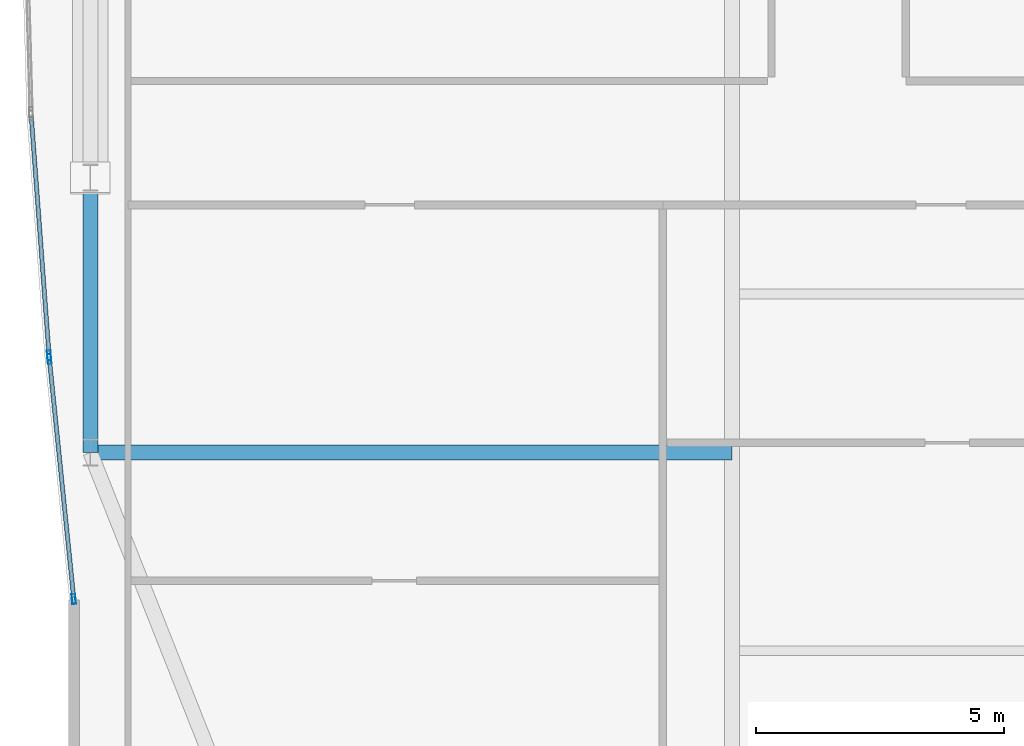
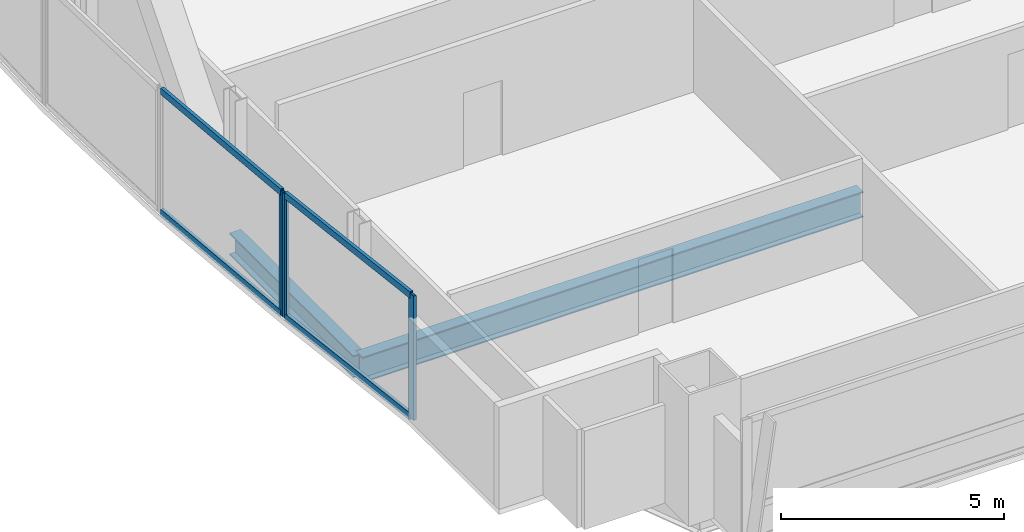
# One storey, part 6 of 29: 7 members, 2 beams, 2 elements without a shape of their own.
"""IFC4 building model written with IfcOpenShell, lengths in metres."""

from ifc_helpers import new_model, si_unit, direction, frame, origin, origin_2d, place, context, subcontext, project, spatial, hollow_rectangle, i_section, extrude, material, material_profile, profile_set, type_object, element, aggregate, save


model = new_model("IFC4")

# Units and contexts
model_context = context("Model", 3, precision=1e-05, world=origin(), true_north=direction((0.0, 1.0)))
body_context = subcontext(model_context, "Body", "Model", "MODEL_VIEW")
ifc_project = project(units=[si_unit("LENGTHUNIT", "METRE"), si_unit("AREAUNIT", "SQUARE_METRE"), si_unit("VOLUMEUNIT", "CUBIC_METRE"), si_unit("PLANEANGLEUNIT", "RADIAN"), si_unit("MASSUNIT", "GRAM", prefix="KILO")], contexts=[model_context])

# Site, building, storey
site_placement = place(None, origin())
site = spatial("IfcSite", under=ifc_project, at=site_placement, CompositionType="ELEMENT")
building_placement = place(site_placement, origin())
building = spatial("IfcBuilding", under=site, at=building_placement, Name="Khoronbel Lancet Exchange", CompositionType="ELEMENT")
storey_placement = place(building_placement, frame((0.0, 0.0, 180.60009765625)))
storey = spatial("IfcBuildingStorey", under=building, at=storey_placement, Name="L45", CompositionType="ELEMENT", Elevation=180.60009765625)

# Beams
ifc_material_1 = material(Name="Steel S355", Category="steel")
ifc_material_profile_1 = material_profile(ifc_material_1, i_section(OverallWidth=0.300048828125, OverallDepth=0.699951171875, WebThickness=0.01708984375, FlangeThickness=0.031982421875, at=origin_2d()), Name="HEB 700")
ifc_profile_set_1 = profile_set([ifc_material_profile_1], Name="Steel S355")
beam_type_1 = type_object("IfcBeamType", Name="BM-BG3", PredefinedType="BEAM", material=ifc_profile_set_1)
beam_1_placement = place(storey_placement, frame((5.27001953125, 19.199951171875, -0.510009765625), z_axis=(1.0, 0.0, 0.0), x_axis=(0.0, 1.0, 0.0)))
element("IfcBeam", 1, at=beam_1_placement, inside=storey, type_object=beam_type_1, Name="Level L45 west lens tie girder LG1W", PredefinedType="BEAM", context=body_context, shape_type="SweptSolid", body=[
    extrude(i_section(OverallWidth=0.300048828125, OverallDepth=0.699951171875, WebThickness=0.01708984375, FlangeThickness=0.031982421875, at=origin_2d()), origin(), (0.0, 0.0, 1.0), 12.955078125),
])
ifc_material_profile_2 = material_profile(ifc_material_1, i_section(OverallWidth=0.300048828125, OverallDepth=0.60009765625, WebThickness=0.015380859375, FlangeThickness=0.030029296875, at=origin_2d()), Name="HEB 600")
ifc_profile_set_2 = profile_set([ifc_material_profile_2], Name="Steel S355")
beam_type_2 = type_object("IfcBeamType", Name="BM-BSP2", PredefinedType="SPANDREL", material=ifc_profile_set_2)
beam_2_placement = place(storey_placement, frame((5.27001953125, 24.75, -0.460205078125), z_axis=(0.0, -1.0, 0.0), x_axis=(1.0, 0.0, 0.0)))
element("IfcBeam", 2, at=beam_2_placement, inside=storey, type_object=beam_type_2, Name="Level L45 perimeter spandrel beam SP20", PredefinedType="SPANDREL", context=body_context, shape_type="SweptSolid", body=[
    extrude(i_section(OverallWidth=0.300048828125, OverallDepth=0.60009765625, WebThickness=0.015380859375, FlangeThickness=0.030029296875, at=origin_2d()), origin(), (0.0, 0.0, 1.0), 5.550048828125),
])

# Curtain wall, members
ifc_material_2 = material(Name="Low-E Solar Control Insulating Glass", Category="glass")
curtain_wall_type = type_object("IfcCurtainWallType", Name="CW-4", PredefinedType="NOTDEFINED", material=ifc_material_2)
curtain_wall_1_placement = place(storey_placement, origin())
curtain_wall_1 = element("IfcCurtainWall", 3, at=curtain_wall_1_placement, inside=storey, type_object=curtain_wall_type, Name="Unitised curtain wall CW-L45-E04", PredefinedType="NOTDEFINED")
ifc_material_3 = material(Name="Bronze-Anodised Aluminium 6063-T6", Category="aluminium")
ifc_material_profile_3 = material_profile(ifc_material_3, hollow_rectangle(XDim=0.074951171875, YDim=0.199951171875, WallThickness=0.0048828125, at=origin_2d()), Name="ALU MULLION 75x200")
ifc_profile_set_3 = profile_set([ifc_material_profile_3], Name="Bronze-Anodised Aluminium 6063-T6")
member_type_1 = type_object("IfcMemberType", Name="MEM-CWM2", PredefinedType="MULLION", material=ifc_profile_set_3)
member_1_placement = place(storey_placement, frame((4.936279296875, 16.241943359375, 0.0), z_axis=(0.0, 0.0, 1.0), x_axis=(-0.994869630688, -0.101165300055, 0.0)))
member_1 = element("IfcMember", 4, at=member_1_placement, type_object=member_type_1, Name="CW4 mullion 1", PredefinedType="MULLION", context=body_context, shape_type="SweptSolid", body=[
    extrude(hollow_rectangle(XDim=0.074951171875, YDim=0.199951171875, WallThickness=0.0048828125, at=origin_2d()), origin(), (0.0, 0.0, 1.0), 3.39990234375),
])
member_2_placement = place(storey_placement, frame((4.443603515625, 21.08740234375, 0.0), z_axis=(0.0, 0.0, 1.0), x_axis=(-0.994869630688, -0.101165300055, 0.0)))
member_2 = element("IfcMember", 5, at=member_2_placement, type_object=member_type_1, Name="CW4 mullion 2", PredefinedType="MULLION", context=body_context, shape_type="SweptSolid", body=[
    extrude(hollow_rectangle(XDim=0.074951171875, YDim=0.199951171875, WallThickness=0.0048828125, at=origin_2d()), origin(), (0.0, 0.0, 1.0), 3.39990234375),
])

# Curtain wall, member
curtain_wall_2_placement = place(storey_placement, origin())
curtain_wall_2 = element("IfcCurtainWall", 6, at=curtain_wall_2_placement, inside=storey, type_object=curtain_wall_type, Name="Unitised curtain wall CW-L45-E05", PredefinedType="NOTDEFINED")
member_3_placement = place(storey_placement, frame((4.43701171875, 21.162109375, 0.0), z_axis=(0.0, 0.0, 1.0), x_axis=(-0.99723999443, -0.074245494873, 0.0)))
member_3 = element("IfcMember", 7, at=member_3_placement, type_object=member_type_1, Name="CW4 mullion 1", PredefinedType="MULLION", context=body_context, shape_type="SweptSolid", body=[
    extrude(hollow_rectangle(XDim=0.074951171875, YDim=0.199951171875, WallThickness=0.0048828125, at=origin_2d()), origin(), (0.0, 0.0, 1.0), 3.39990234375),
])

# Member
ifc_material_profile_4 = material_profile(ifc_material_3, hollow_rectangle(XDim=0.0849609375, YDim=0.179931640625, WallThickness=0.0048828125, at=origin_2d()), Name="ALU TRANSOM 85x180")
ifc_profile_set_4 = profile_set([ifc_material_profile_4], Name="Bronze-Anodised Aluminium 6063-T6")
member_type_2 = type_object("IfcMemberType", Name="MEM-CWT1", PredefinedType="USERDEFINED", material=ifc_profile_set_4)
member_4_placement = place(storey_placement, frame((4.932373046875, 16.279296875, 0.04248046875), z_axis=(-0.101161999035, 0.994869966353, 0.0), x_axis=(-0.994869966353, -0.101161999035, 0.0)))
member_4 = element("IfcMember", 8, at=member_4_placement, type_object=member_type_2, Name="CW4 transom 1.1", ObjectType="TRANSOM", PredefinedType="USERDEFINED", context=body_context, shape_type="SweptSolid", body=[
    extrude(hollow_rectangle(XDim=0.0849609375, YDim=0.179931640625, WallThickness=0.0048828125, at=origin_2d()), origin(), (0.0, 0.0, 1.0), 4.79541015625),
])

member_5_placement = place(storey_placement, frame((4.932373046875, 16.279296875, 3.357421875), z_axis=(-0.101161999035, 0.994869966353, 0.0), x_axis=(-0.994869966353, -0.101161999035, 0.0)))
member_5 = element("IfcMember", 9, at=member_5_placement, type_object=member_type_2, Name="CW4 transom 1.2", ObjectType="TRANSOM", PredefinedType="USERDEFINED", context=body_context, shape_type="SweptSolid", body=[
    extrude(hollow_rectangle(XDim=0.0849609375, YDim=0.179931640625, WallThickness=0.0048828125, at=origin_2d()), origin(), (0.0, 0.0, 1.0), 4.79541015625),
])

aggregate(curtain_wall_1, [member_1, member_2, member_4, member_5])

member_6_placement = place(storey_placement, frame((4.43408203125, 21.199462890625, 0.04248046875), z_axis=(-0.07421054985, 0.997242595506, 0.0), x_axis=(-0.997242595506, -0.07421054985, 0.0)))
member_6 = element("IfcMember", 10, at=member_6_placement, type_object=member_type_2, Name="CW4 transom 1.1", ObjectType="TRANSOM", PredefinedType="USERDEFINED", context=body_context, shape_type="SweptSolid", body=[
    extrude(hollow_rectangle(XDim=0.0849609375, YDim=0.179931640625, WallThickness=0.0048828125, at=origin_2d()), origin(), (0.0, 0.0, 1.0), 4.77685546875),
])

member_7_placement = place(storey_placement, frame((4.43408203125, 21.199462890625, 3.357421875), z_axis=(-0.07421054985, 0.997242595506, 0.0), x_axis=(-0.997242595506, -0.07421054985, 0.0)))
member_7 = element("IfcMember", 11, at=member_7_placement, type_object=member_type_2, Name="CW4 transom 1.2", ObjectType="TRANSOM", PredefinedType="USERDEFINED", context=body_context, shape_type="SweptSolid", body=[
    extrude(hollow_rectangle(XDim=0.0849609375, YDim=0.179931640625, WallThickness=0.0048828125, at=origin_2d()), origin(), (0.0, 0.0, 1.0), 4.77685546875),
])

aggregate(curtain_wall_2, [member_3, member_6, member_7])

save(model, "model.ifc")
